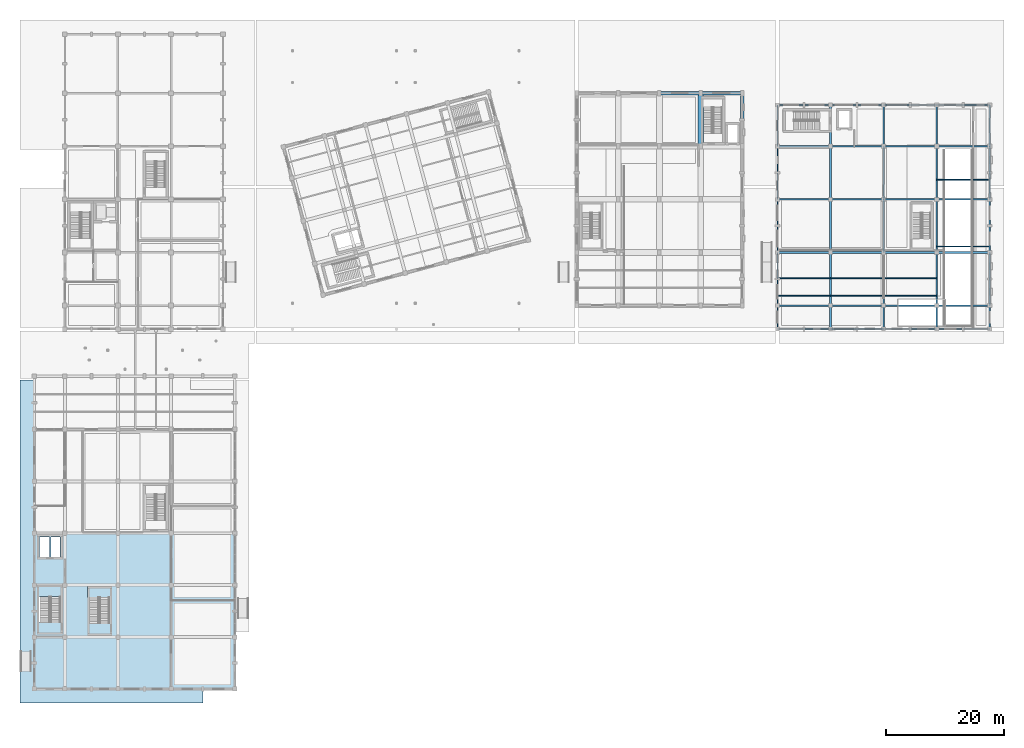
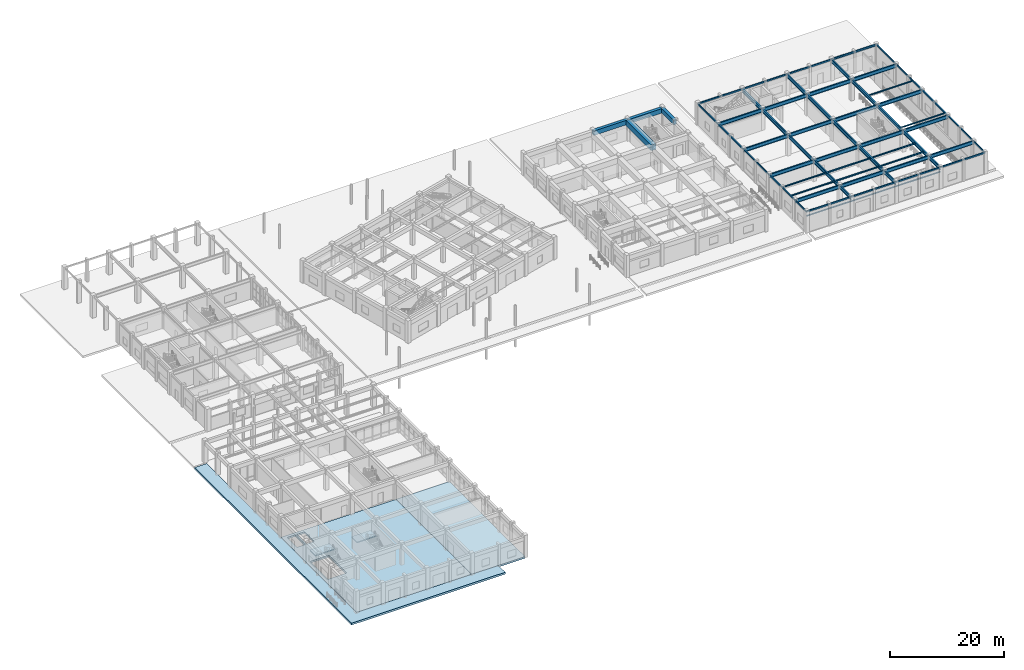
# One storey, part 27 of 47: 71 beams, 8 members, 5 slabs, 2 elements without a shape of their own.
"""IFC4 building model written with IfcOpenShell, lengths in metres."""

from ifc_helpers import new_model, si_unit, direction, frame, origin, origin_2d, place, context, subcontext, project, spatial, polyline, rectangle, hollow_rectangle, i_section, outline, extrude, material, layer, layer_set, material_profile, profile_set, type_object, element, aggregate, save


model = new_model("IFC4")

# Units and contexts
model_context = context("Model", 3, precision=1e-05, world=origin(), true_north=direction((0.0, 1.0)))
body_context = subcontext(model_context, "Body", "Model", "MODEL_VIEW")
ifc_project = project(units=[si_unit("LENGTHUNIT", "METRE"), si_unit("AREAUNIT", "SQUARE_METRE"), si_unit("VOLUMEUNIT", "CUBIC_METRE"), si_unit("PLANEANGLEUNIT", "RADIAN"), si_unit("MASSUNIT", "GRAM", prefix="KILO")], contexts=[model_context])

# Site, building, storey
site_placement = place(None, origin())
site = spatial("IfcSite", under=ifc_project, at=site_placement, CompositionType="ELEMENT")
building_placement = place(site_placement, origin())
building = spatial("IfcBuilding", under=site, at=building_placement, Name="Ventoquebrada Cableway Terminal", CompositionType="ELEMENT")
storey_placement = place(building_placement, origin())
storey = spatial("IfcBuildingStorey", under=building, at=storey_placement, Name="L00", CompositionType="ELEMENT", Elevation=0.0)

# Beams
ifc_material_1 = material(Name="Concrete C40/50", Category="concrete")
ifc_material_profile_1 = material_profile(ifc_material_1, rectangle(XDim=0.60009765625, YDim=0.949951171875, at=origin_2d()), Name="RC-BM-600X950")
ifc_profile_set_1 = profile_set([ifc_material_profile_1], Name="Concrete C40/50")
beam_type_1 = type_object("IfcBeamType", Name="BM-RC05", PredefinedType="BEAM", material=ifc_profile_set_1)
for number, where, z_axis, x_axis, name in (
    (1, (109.0, 104.0, 3.97509765625), (1.0, 0.0, 0.0), (0.0, 1.0, 0.0), "Perimeter spandrel beam FBM-0597"),
    (2, (116.0, 104.0, 3.97509765625), (1.0, 0.0, 0.0), (0.0, 1.0, 0.0), "Perimeter spandrel beam FBM-0598"),
):
    element("IfcBeam", number, at=place(storey_placement, frame(where, z_axis=z_axis, x_axis=x_axis)), inside=storey, type_object=beam_type_1, Name=name, PredefinedType="BEAM", context=body_context, shape_type="SweptSolid", body=[
        extrude(rectangle(XDim=0.60009765625, YDim=0.949951171875, at=origin_2d()), origin(), (0.0, 0.0, 1.0), 7.0),
    ])
beam_1_placement = place(storey_placement, frame((123.0, 99.5, 3.97509765625), z_axis=(0.0, 1.0, 0.0), x_axis=(-1.0, 0.0, 0.0)))
element("IfcBeam", 3, at=beam_1_placement, inside=storey, type_object=beam_type_1, Name="Perimeter spandrel beam FBM-0626", PredefinedType="BEAM", context=body_context, shape_type="SweptSolid", body=[
    extrude(rectangle(XDim=0.60009765625, YDim=0.949951171875, at=origin_2d()), origin(), (0.0, 0.0, 1.0), 4.5),
])
ifc_material_profile_2 = material_profile(ifc_material_1, rectangle(XDim=0.949951171875, YDim=1.199951171875, at=origin_2d()), Name="RC-BM-950X1200")
ifc_profile_set_2 = profile_set([ifc_material_profile_2], Name="Concrete C40/50")
beam_type_2 = type_object("IfcBeamType", Name="BM-RC06", PredefinedType="BEAM", material=ifc_profile_set_2)
beam_2_placement = place(storey_placement, frame((116.0, 95.0, 3.85009765625), z_axis=(0.0, 1.0, 0.0), x_axis=(-1.0, 0.0, 0.0)))
element("IfcBeam", 4, at=beam_2_placement, inside=storey, type_object=beam_type_2, Name="Primary frame girder FBM-0618", PredefinedType="BEAM", context=body_context, shape_type="SweptSolid", body=[
    extrude(rectangle(XDim=0.949951171875, YDim=1.199951171875, at=origin_2d()), origin(), (0.0, 0.0, 1.0), 9.0),
])
ifc_material_2 = material(Name="Steel ASTM A992 Grade 50", Category="steel")
ifc_material_profile_3 = material_profile(ifc_material_2, i_section(OverallWidth=0.26708984375, OverallDepth=0.761962890625, WebThickness=0.014404296875, FlangeThickness=0.021484375, at=origin_2d()), Name="W30X116")
ifc_profile_set_3 = profile_set([ifc_material_profile_3], Name="Steel ASTM A992 Grade 50")
beam_type_3 = type_object("IfcBeamType", Name="BM-ST05", PredefinedType="BEAM", material=ifc_profile_set_3)
for number, where, z_axis, x_axis, name in (
    (5, (129.0, 68.0, 4.14892578125), (1.0, 0.0, 0.0), (0.0, 1.0, 0.0), "Primary frame girder FBM-0772"),
    (6, (138.0, 68.0, 4.14892578125), (1.0, 0.0, 0.0), (0.0, 1.0, 0.0), "Primary frame girder FBM-0773"),
    (7, (147.0, 68.0, 4.14892578125), (1.0, 0.0, 0.0), (0.0, 1.0, 0.0), "Primary frame girder FBM-0774"),
    (8, (156.0, 68.0, 4.14892578125), (1.0, 0.0, 0.0), (0.0, 1.0, 0.0), "Primary frame girder FBM-0775"),
    (9, (129.0, 77.0, 4.093994140625), (1.0, 0.0, 0.0), (0.0, 1.0, 0.0), "Primary frame girder FBM-0776"),
    (10, (138.0, 77.0, 4.093994140625), (1.0, 0.0, 0.0), (0.0, 1.0, 0.0), "Primary frame girder FBM-0777"),
    (11, (147.0, 77.0, 4.093994140625), (1.0, 0.0, 0.0), (0.0, 1.0, 0.0), "Primary frame girder FBM-0778"),
    (12, (156.0, 77.0, 4.14892578125), (1.0, 0.0, 0.0), (0.0, 1.0, 0.0), "Primary frame girder FBM-0779"),
    (13, (129.0, 86.0, 4.093994140625), (1.0, 0.0, 0.0), (0.0, 1.0, 0.0), "Primary frame girder FBM-0780"),
    (14, (138.0, 86.0, 4.093994140625), (1.0, 0.0, 0.0), (0.0, 1.0, 0.0), "Primary frame girder FBM-0781"),
    (15, (147.0, 86.0, 4.093994140625), (1.0, 0.0, 0.0), (0.0, 1.0, 0.0), "Primary frame girder FBM-0782"),
    (16, (156.0, 86.0, 4.14892578125), (1.0, 0.0, 0.0), (0.0, 1.0, 0.0), "Primary frame girder FBM-0783"),
    (17, (129.0, 95.0, 4.093994140625), (1.0, 0.0, 0.0), (0.0, 1.0, 0.0), "Primary frame girder FBM-0784"),
    (18, (138.0, 95.0, 4.093994140625), (1.0, 0.0, 0.0), (0.0, 1.0, 0.0), "Primary frame girder FBM-0785"),
    (19, (147.0, 95.0, 4.093994140625), (1.0, 0.0, 0.0), (0.0, 1.0, 0.0), "Primary frame girder FBM-0786"),
    (20, (156.0, 95.0, 4.14892578125), (1.0, 0.0, 0.0), (0.0, 1.0, 0.0), "Primary frame girder FBM-0787"),
):
    element("IfcBeam", number, at=place(storey_placement, frame(where, z_axis=z_axis, x_axis=x_axis)), inside=storey, type_object=beam_type_3, Name=name, PredefinedType="BEAM", context=body_context, shape_type="SweptSolid", body=[
        extrude(i_section(OverallWidth=0.26708984375, OverallDepth=0.761962890625, WebThickness=0.014404296875, FlangeThickness=0.021484375, at=origin_2d()), origin(), (0.0, 0.0, 1.0), 9.0),
    ])
beam_3_placement = place(storey_placement, frame((138.0, 64.0, 4.14892578125), z_axis=(0.0, 1.0, 0.0), x_axis=(-1.0, 0.0, 0.0)))
element("IfcBeam", 21, at=beam_3_placement, inside=storey, type_object=beam_type_3, Name="Primary frame girder FBM-0804", PredefinedType="BEAM", context=body_context, shape_type="SweptSolid", body=[
    extrude(i_section(OverallWidth=0.26708984375, OverallDepth=0.761962890625, WebThickness=0.014404296875, FlangeThickness=0.021484375, at=origin_2d()), origin(), (0.0, 0.0, 1.0), 4.0),
])
for number, where, z_axis, x_axis, name in (
    (22, (138.0, 68.0, 4.14892578125), (0.0, 1.0, 0.0), (-1.0, 0.0, 0.0), "Primary frame girder FBM-0805"),
    (23, (138.0, 77.0, 4.093994140625), (0.0, 1.0, 0.0), (-1.0, 0.0, 0.0), "Primary frame girder FBM-0806"),
    (24, (138.0, 86.0, 4.093994140625), (0.0, 1.0, 0.0), (-1.0, 0.0, 0.0), "Primary frame girder FBM-0807"),
):
    element("IfcBeam", number, at=place(storey_placement, frame(where, z_axis=z_axis, x_axis=x_axis)), inside=storey, type_object=beam_type_3, Name=name, PredefinedType="BEAM", context=body_context, shape_type="SweptSolid", body=[
        extrude(i_section(OverallWidth=0.26708984375, OverallDepth=0.761962890625, WebThickness=0.014404296875, FlangeThickness=0.021484375, at=origin_2d()), origin(), (0.0, 0.0, 1.0), 9.0),
    ])
beam_4_placement = place(storey_placement, frame((138.0, 95.0, 4.093994140625), z_axis=(0.0, 1.0, 0.0), x_axis=(-1.0, 0.0, 0.0)))
element("IfcBeam", 25, at=beam_4_placement, inside=storey, type_object=beam_type_3, Name="Primary frame girder FBM-0808", PredefinedType="BEAM", context=body_context, shape_type="SweptSolid", body=[
    extrude(i_section(OverallWidth=0.26708984375, OverallDepth=0.761962890625, WebThickness=0.014404296875, FlangeThickness=0.021484375, at=origin_2d()), origin(), (0.0, 0.0, 1.0), 7.0),
])
beam_5_placement = place(storey_placement, frame((147.0, 64.0, 4.14892578125), z_axis=(0.0, 1.0, 0.0), x_axis=(-1.0, 0.0, 0.0)))
element("IfcBeam", 26, at=beam_5_placement, inside=storey, type_object=beam_type_3, Name="Primary frame girder FBM-0809", PredefinedType="BEAM", context=body_context, shape_type="SweptSolid", body=[
    extrude(i_section(OverallWidth=0.26708984375, OverallDepth=0.761962890625, WebThickness=0.014404296875, FlangeThickness=0.021484375, at=origin_2d()), origin(), (0.0, 0.0, 1.0), 4.0),
])
for number, where, z_axis, x_axis, name in (
    (27, (147.0, 68.0, 4.14892578125), (0.0, 1.0, 0.0), (-1.0, 0.0, 0.0), "Primary frame girder FBM-0810"),
    (28, (147.0, 77.0, 4.093994140625), (0.0, 1.0, 0.0), (-1.0, 0.0, 0.0), "Primary frame girder FBM-0811"),
    (29, (147.0, 86.0, 4.093994140625), (0.0, 1.0, 0.0), (-1.0, 0.0, 0.0), "Primary frame girder FBM-0812"),
):
    element("IfcBeam", number, at=place(storey_placement, frame(where, z_axis=z_axis, x_axis=x_axis)), inside=storey, type_object=beam_type_3, Name=name, PredefinedType="BEAM", context=body_context, shape_type="SweptSolid", body=[
        extrude(i_section(OverallWidth=0.26708984375, OverallDepth=0.761962890625, WebThickness=0.014404296875, FlangeThickness=0.021484375, at=origin_2d()), origin(), (0.0, 0.0, 1.0), 9.0),
    ])
beam_6_placement = place(storey_placement, frame((147.0, 95.0, 4.093994140625), z_axis=(0.0, 1.0, 0.0), x_axis=(-1.0, 0.0, 0.0)))
element("IfcBeam", 30, at=beam_6_placement, inside=storey, type_object=beam_type_3, Name="Primary frame girder FBM-0813", PredefinedType="BEAM", context=body_context, shape_type="SweptSolid", body=[
    extrude(i_section(OverallWidth=0.26708984375, OverallDepth=0.761962890625, WebThickness=0.014404296875, FlangeThickness=0.021484375, at=origin_2d()), origin(), (0.0, 0.0, 1.0), 7.0),
])
beam_7_placement = place(storey_placement, frame((156.0, 64.0, 4.14892578125), z_axis=(0.0, 1.0, 0.0), x_axis=(-1.0, 0.0, 0.0)))
element("IfcBeam", 31, at=beam_7_placement, inside=storey, type_object=beam_type_3, Name="Primary frame girder FBM-0814", PredefinedType="BEAM", context=body_context, shape_type="SweptSolid", body=[
    extrude(i_section(OverallWidth=0.26708984375, OverallDepth=0.761962890625, WebThickness=0.014404296875, FlangeThickness=0.021484375, at=origin_2d()), origin(), (0.0, 0.0, 1.0), 4.0),
])
for number, where, z_axis, x_axis, name in (
    (32, (156.0, 68.0, 4.14892578125), (0.0, 1.0, 0.0), (-1.0, 0.0, 0.0), "Primary frame girder FBM-0815"),
    (33, (156.0, 77.0, 4.093994140625), (0.0, 1.0, 0.0), (-1.0, 0.0, 0.0), "Primary frame girder FBM-0816"),
    (34, (156.0, 86.0, 4.093994140625), (0.0, 1.0, 0.0), (-1.0, 0.0, 0.0), "Primary frame girder FBM-0817"),
):
    element("IfcBeam", number, at=place(storey_placement, frame(where, z_axis=z_axis, x_axis=x_axis)), inside=storey, type_object=beam_type_3, Name=name, PredefinedType="BEAM", context=body_context, shape_type="SweptSolid", body=[
        extrude(i_section(OverallWidth=0.26708984375, OverallDepth=0.761962890625, WebThickness=0.014404296875, FlangeThickness=0.021484375, at=origin_2d()), origin(), (0.0, 0.0, 1.0), 9.0),
    ])
beam_8_placement = place(storey_placement, frame((156.0, 95.0, 4.093994140625), z_axis=(0.0, 1.0, 0.0), x_axis=(-1.0, 0.0, 0.0)))
element("IfcBeam", 35, at=beam_8_placement, inside=storey, type_object=beam_type_3, Name="Primary frame girder FBM-0818", PredefinedType="BEAM", context=body_context, shape_type="SweptSolid", body=[
    extrude(i_section(OverallWidth=0.26708984375, OverallDepth=0.761962890625, WebThickness=0.014404296875, FlangeThickness=0.021484375, at=origin_2d()), origin(), (0.0, 0.0, 1.0), 7.0),
])
ifc_material_3 = material(Name="Steel ASTM A500 Grade C", Category="steel")
ifc_material_profile_4 = material_profile(ifc_material_3, hollow_rectangle(XDim=0.199951171875, YDim=0.199951171875, WallThickness=0.010009765625, at=origin_2d()), Name="HSS200X200X10")
ifc_profile_set_4 = profile_set([ifc_material_profile_4], Name="Steel ASTM A500 Grade C")
beam_type_4 = type_object("IfcBeamType", Name="LN-ST01", PredefinedType="LINTEL", material=ifc_profile_set_4)
for number, where, z_axis, x_axis, name in (
    (36, (156.0, 102.0, 4.14990234375), (1.0, 0.0, 0.0), (0.0, 1.0, 0.0), "Portal opening lintel beam LN-007"),
    (37, (129.0, 64.0, 3.449951171875), (1.0, 0.0, 0.0), (0.0, 1.0, 0.0), "Portal opening lintel beam LN-008"),
    (38, (138.0, 64.0, 3.449951171875), (1.0, 0.0, 0.0), (0.0, 1.0, 0.0), "Portal opening lintel beam LN-009"),
    (39, (147.0, 64.0, 3.449951171875), (1.0, 0.0, 0.0), (0.0, 1.0, 0.0), "Portal opening lintel beam LN-010"),
):
    element("IfcBeam", number, at=place(storey_placement, frame(where, z_axis=z_axis, x_axis=x_axis)), inside=storey, type_object=beam_type_4, Name=name, PredefinedType="LINTEL", context=body_context, shape_type="SweptSolid", body=[
        extrude(hollow_rectangle(XDim=0.199951171875, YDim=0.199951171875, WallThickness=0.010009765625, at=origin_2d()), origin(), (0.0, 0.0, 1.0), 9.0),
    ])

# Members
ifc_material_profile_5 = material_profile(ifc_material_2, i_section(OverallWidth=0.14599609375, OverallDepth=0.259033203125, WebThickness=0.006103515625, FlangeThickness=0.009033203125, at=origin_2d()), Name="W10X22")
ifc_profile_set_5 = profile_set([ifc_material_profile_5], Name="Steel ASTM A992 Grade 50")
member_type_1 = type_object("IfcMemberType", Name="PUR-RF04", PredefinedType="PURLIN", material=ifc_profile_set_5)
for number, where, z_axis, x_axis, name in (
    (40, (156.0, 78.01708984375, 4.284912109375), (1.0, 0.0, 0.0), (0.0, 1.0, 0.0), "Roof support purlin RPR-0503"),
    (41, (156.0, 89.3330078125, 4.284912109375), (1.0, 0.0, 0.0), (0.0, 1.0, 0.0), "Roof support purlin RPR-0504"),
):
    element("IfcMember", number, at=place(storey_placement, frame(where, z_axis=z_axis, x_axis=x_axis)), inside=storey, type_object=member_type_1, Name=name, PredefinedType="PURLIN", context=body_context, shape_type="SweptSolid", body=[
        extrude(i_section(OverallWidth=0.14599609375, OverallDepth=0.259033203125, WebThickness=0.006103515625, FlangeThickness=0.009033203125, at=origin_2d()), origin(), (0.0, 0.0, 1.0), 9.0),
    ])
ifc_material_profile_6 = material_profile(ifc_material_2, i_section(OverallWidth=0.1650390625, OverallDepth=0.31005859375, WebThickness=0.005859375, FlangeThickness=0.009765625, at=origin_2d()), Name="W12X26")
ifc_profile_set_6 = profile_set([ifc_material_profile_6], Name="Steel ASTM A992 Grade 50")
member_type_2 = type_object("IfcMemberType", Name="PUR-RF05", PredefinedType="PURLIN", material=ifc_profile_set_6)
for number, where, z_axis, x_axis, name in (
    (42, (129.0, 69.68310546875, 4.260009765625), (1.0, 0.0, 0.0), (0.0, 1.0, 0.0), "Roof support purlin RPR-0505"),
    (43, (138.0, 69.68310546875, 4.260009765625), (1.0, 0.0, 0.0), (0.0, 1.0, 0.0), "Roof support purlin RPR-0506"),
    (44, (147.0, 69.68310546875, 4.260009765625), (1.0, 0.0, 0.0), (0.0, 1.0, 0.0), "Roof support purlin RPR-0507"),
    (45, (129.0, 72.6669921875, 4.260009765625), (1.0, 0.0, 0.0), (0.0, 1.0, 0.0), "Roof support purlin RPR-0508"),
    (46, (138.0, 72.6669921875, 4.260009765625), (1.0, 0.0, 0.0), (0.0, 1.0, 0.0), "Roof support purlin RPR-0509"),
    (47, (147.0, 72.6669921875, 4.260009765625), (1.0, 0.0, 0.0), (0.0, 1.0, 0.0), "Roof support purlin RPR-0510"),
):
    element("IfcMember", number, at=place(storey_placement, frame(where, z_axis=z_axis, x_axis=x_axis)), inside=storey, type_object=member_type_2, Name=name, PredefinedType="PURLIN", context=body_context, shape_type="SweptSolid", body=[
        extrude(i_section(OverallWidth=0.1650390625, OverallDepth=0.31005859375, WebThickness=0.005859375, FlangeThickness=0.009765625, at=origin_2d()), origin(), (0.0, 0.0, 1.0), 9.0),
    ])

# Beams
ifc_material_profile_7 = material_profile(ifc_material_3, hollow_rectangle(XDim=0.199951171875, YDim=0.300048828125, WallThickness=0.012451171875, at=origin_2d()), Name="RHS300X200X12.5")
ifc_profile_set_7 = profile_set([ifc_material_profile_7], Name="Steel ASTM A500 Grade C")
beam_type_5 = type_object("IfcBeamType", Name="SP-ST02", PredefinedType="SPANDREL", material=ifc_profile_set_7)
for number, where, z_axis, x_axis, name in (
    (48, (129.0, 64.0, 4.3798828125), (1.0, 0.0, 0.0), (0.0, 1.0, 0.0), "Perimeter spandrel beam FBM-0764"),
    (49, (133.5, 64.0, 4.3798828125), (1.0, 0.0, 0.0), (0.0, 1.0, 0.0), "Perimeter spandrel beam FBM-0765"),
    (50, (138.0, 64.0, 4.3798828125), (1.0, 0.0, 0.0), (0.0, 1.0, 0.0), "Perimeter spandrel beam FBM-0766"),
    (51, (142.5, 64.0, 4.3798828125), (1.0, 0.0, 0.0), (0.0, 1.0, 0.0), "Perimeter spandrel beam FBM-0767"),
    (52, (147.0, 64.0, 4.3798828125), (1.0, 0.0, 0.0), (0.0, 1.0, 0.0), "Perimeter spandrel beam FBM-0768"),
    (53, (151.5, 64.0, 4.3798828125), (1.0, 0.0, 0.0), (0.0, 1.0, 0.0), "Perimeter spandrel beam FBM-0769"),
    (54, (156.0, 64.0, 4.3798828125), (1.0, 0.0, 0.0), (0.0, 1.0, 0.0), "Perimeter spandrel beam FBM-0770"),
    (55, (160.5, 64.0, 4.3798828125), (1.0, 0.0, 0.0), (0.0, 1.0, 0.0), "Perimeter spandrel beam FBM-0771"),
    (56, (129.0, 102.0, 4.324951171875), (1.0, 0.0, 0.0), (0.0, 1.0, 0.0), "Perimeter spandrel beam FBM-0788"),
    (57, (133.5, 102.0, 4.324951171875), (1.0, 0.0, 0.0), (0.0, 1.0, 0.0), "Perimeter spandrel beam FBM-0789"),
    (58, (138.0, 102.0, 4.324951171875), (1.0, 0.0, 0.0), (0.0, 1.0, 0.0), "Perimeter spandrel beam FBM-0790"),
    (59, (142.5, 102.0, 4.324951171875), (1.0, 0.0, 0.0), (0.0, 1.0, 0.0), "Perimeter spandrel beam FBM-0791"),
    (60, (147.0, 102.0, 4.324951171875), (1.0, 0.0, 0.0), (0.0, 1.0, 0.0), "Perimeter spandrel beam FBM-0792"),
    (61, (151.5, 102.0, 4.324951171875), (1.0, 0.0, 0.0), (0.0, 1.0, 0.0), "Perimeter spandrel beam FBM-0793"),
    (62, (156.0, 102.0, 4.3798828125), (1.0, 0.0, 0.0), (0.0, 1.0, 0.0), "Perimeter spandrel beam FBM-0794"),
    (63, (160.5, 102.0, 4.3798828125), (1.0, 0.0, 0.0), (0.0, 1.0, 0.0), "Perimeter spandrel beam FBM-0795"),
):
    element("IfcBeam", number, at=place(storey_placement, frame(where, z_axis=z_axis, x_axis=x_axis)), inside=storey, type_object=beam_type_5, Name=name, PredefinedType="SPANDREL", context=body_context, shape_type="SweptSolid", body=[
        extrude(hollow_rectangle(XDim=0.199951171875, YDim=0.300048828125, WallThickness=0.012451171875, at=origin_2d()), origin(), (0.0, 0.0, 1.0), 4.5),
    ])
beam_9_placement = place(storey_placement, frame((129.0, 64.0, 4.3798828125), z_axis=(0.0, 1.0, 0.0), x_axis=(-1.0, 0.0, 0.0)))
element("IfcBeam", 64, at=beam_9_placement, inside=storey, type_object=beam_type_5, Name="Perimeter spandrel beam FBM-0796", PredefinedType="SPANDREL", context=body_context, shape_type="SweptSolid", body=[
    extrude(hollow_rectangle(XDim=0.199951171875, YDim=0.300048828125, WallThickness=0.012451171875, at=origin_2d()), origin(), (0.0, 0.0, 1.0), 4.0),
])
for number, where, z_axis, x_axis, name in (
    (65, (129.0, 68.0, 4.3798828125), (0.0, 1.0, 0.0), (-1.0, 0.0, 0.0), "Perimeter spandrel beam FBM-0797"),
    (66, (129.0, 72.5, 4.3798828125), (0.0, 1.0, 0.0), (-1.0, 0.0, 0.0), "Perimeter spandrel beam FBM-0798"),
    (67, (129.0, 77.0, 4.324951171875), (0.0, 1.0, 0.0), (-1.0, 0.0, 0.0), "Perimeter spandrel beam FBM-0799"),
    (68, (129.0, 81.5, 4.324951171875), (0.0, 1.0, 0.0), (-1.0, 0.0, 0.0), "Perimeter spandrel beam FBM-0800"),
    (69, (129.0, 86.0, 4.324951171875), (0.0, 1.0, 0.0), (-1.0, 0.0, 0.0), "Perimeter spandrel beam FBM-0801"),
    (70, (129.0, 90.5, 4.324951171875), (0.0, 1.0, 0.0), (-1.0, 0.0, 0.0), "Perimeter spandrel beam FBM-0802"),
):
    element("IfcBeam", number, at=place(storey_placement, frame(where, z_axis=z_axis, x_axis=x_axis)), inside=storey, type_object=beam_type_5, Name=name, PredefinedType="SPANDREL", context=body_context, shape_type="SweptSolid", body=[
        extrude(hollow_rectangle(XDim=0.199951171875, YDim=0.300048828125, WallThickness=0.012451171875, at=origin_2d()), origin(), (0.0, 0.0, 1.0), 4.5),
    ])
beam_10_placement = place(storey_placement, frame((129.0, 95.0, 4.324951171875), z_axis=(0.0, 1.0, 0.0), x_axis=(-1.0, 0.0, 0.0)))
element("IfcBeam", 71, at=beam_10_placement, inside=storey, type_object=beam_type_5, Name="Perimeter spandrel beam FBM-0803", PredefinedType="SPANDREL", context=body_context, shape_type="SweptSolid", body=[
    extrude(hollow_rectangle(XDim=0.199951171875, YDim=0.300048828125, WallThickness=0.012451171875, at=origin_2d()), origin(), (0.0, 0.0, 1.0), 7.0),
])
beam_11_placement = place(storey_placement, frame((165.0, 64.0, 4.3798828125), z_axis=(0.0, 1.0, 0.0), x_axis=(-1.0, 0.0, 0.0)))
element("IfcBeam", 72, at=beam_11_placement, inside=storey, type_object=beam_type_5, Name="Perimeter spandrel beam FBM-0819", PredefinedType="SPANDREL", context=body_context, shape_type="SweptSolid", body=[
    extrude(hollow_rectangle(XDim=0.199951171875, YDim=0.300048828125, WallThickness=0.012451171875, at=origin_2d()), origin(), (0.0, 0.0, 1.0), 4.0),
])
for number, where, z_axis, x_axis, name in (
    (73, (165.0, 68.0, 4.3798828125), (0.0, 1.0, 0.0), (-1.0, 0.0, 0.0), "Perimeter spandrel beam FBM-0820"),
    (74, (165.0, 72.5, 4.3798828125), (0.0, 1.0, 0.0), (-1.0, 0.0, 0.0), "Perimeter spandrel beam FBM-0821"),
    (75, (165.0, 77.0, 4.3798828125), (0.0, 1.0, 0.0), (-1.0, 0.0, 0.0), "Perimeter spandrel beam FBM-0822"),
    (76, (165.0, 81.5, 4.3798828125), (0.0, 1.0, 0.0), (-1.0, 0.0, 0.0), "Perimeter spandrel beam FBM-0823"),
    (77, (165.0, 86.0, 4.3798828125), (0.0, 1.0, 0.0), (-1.0, 0.0, 0.0), "Perimeter spandrel beam FBM-0824"),
    (78, (165.0, 90.5, 4.3798828125), (0.0, 1.0, 0.0), (-1.0, 0.0, 0.0), "Perimeter spandrel beam FBM-0825"),
):
    element("IfcBeam", number, at=place(storey_placement, frame(where, z_axis=z_axis, x_axis=x_axis)), inside=storey, type_object=beam_type_5, Name=name, PredefinedType="SPANDREL", context=body_context, shape_type="SweptSolid", body=[
        extrude(hollow_rectangle(XDim=0.199951171875, YDim=0.300048828125, WallThickness=0.012451171875, at=origin_2d()), origin(), (0.0, 0.0, 1.0), 4.5),
    ])
beam_12_placement = place(storey_placement, frame((165.0, 95.0, 4.3798828125), z_axis=(0.0, 1.0, 0.0), x_axis=(-1.0, 0.0, 0.0)))
element("IfcBeam", 79, at=beam_12_placement, inside=storey, type_object=beam_type_5, Name="Perimeter spandrel beam FBM-0826", PredefinedType="SPANDREL", context=body_context, shape_type="SweptSolid", body=[
    extrude(hollow_rectangle(XDim=0.199951171875, YDim=0.300048828125, WallThickness=0.012451171875, at=origin_2d()), origin(), (0.0, 0.0, 1.0), 7.0),
])

# Slabs
ifc_layer_1 = layer(ifc_material_1, 0.360107421875)
ifc_layer_set_1 = layer_set([ifc_layer_1], Name="Concrete C40/50")
slab_type_1 = type_object("IfcSlabType", Name="SL-FL1", PredefinedType="FLOOR", material=ifc_layer_set_1)
slab_1_placement = place(storey_placement, frame((0.0, 0.0, -0.360107421875)))
element("IfcSlab", 80, at=slab_1_placement, inside=storey, type_object=slab_type_1, Name="Reinforced concrete floor slab SL-003", PredefinedType="FLOOR", context=body_context, shape_type="SweptSolid", body=[
    extrude(outline(polyline([(3.0, 29.39990234375), (3.0, 3.0), (26.199951171875, 3.0), (26.199951171875, 29.39990234375), (3.0, 29.39990234375)]), holes=[polyline([(3.75, 20.449951171875), (7.5, 20.449951171875), (7.5, 14.239990234375), (3.75, 14.239990234375), (3.75, 20.449951171875)]), polyline([(5.550048828125, 28.800048828125), (5.550048828125, 25.39990234375), (3.89990234375, 25.39990234375), (3.89990234375, 28.800048828125), (5.550048828125, 28.800048828125)]), polyline([(7.39990234375, 25.39990234375), (5.85009765625, 25.39990234375), (5.85009765625, 28.800048828125), (7.39990234375, 28.800048828125), (7.39990234375, 25.39990234375)])]), origin(), (0.0, 0.0, 1.0), 0.360107421875),
])
slab_2_placement = place(storey_placement, frame((0.0, 0.0, -0.360107421875)))
element("IfcSlab", 81, at=slab_2_placement, inside=storey, type_object=slab_type_1, Name="Reinforced concrete floor slab SL-005", PredefinedType="FLOOR", context=body_context, shape_type="SweptSolid", body=[
    extrude(outline(polyline([(37.0, 3.0), (37.0, 29.39990234375), (26.199951171875, 29.39990234375), (26.199951171875, 3.0), (37.0, 3.0)])), origin(), (0.0, 0.0, 1.0), 0.360107421875),
])

# Stair, slab
stair_type = type_object("IfcStairType", Name="ST-T03", PredefinedType="HALF_TURN_STAIR", material=ifc_material_1)
stair_1_placement = place(storey_placement, origin())
stair_1 = element("IfcStair", 82, at=stair_1_placement, inside=storey, type_object=stair_type, Name="Protected half-turn stair ST-03", PredefinedType="HALF_TURN_STAIR")
ifc_layer_2 = layer(ifc_material_1, 0.219970703125)
ifc_layer_set_2 = layer_set([ifc_layer_2], Name="Concrete C40/50")
slab_type_2 = type_object("IfcSlabType", Name="SL-LD1", PredefinedType="LANDING", material=ifc_layer_set_2)
slab_3_placement = place(storey_placement, frame((0.0, 0.0, 2.179931640625)))
slab_3 = element("IfcSlab", 83, at=slab_3_placement, type_object=slab_type_2, Name="Intermediate stair landing LDG-003", PredefinedType="LANDING", context=body_context, shape_type="SweptSolid", body=[
    extrude(outline(polyline([(7.7099609375, 18.639892578125), (7.7099609375, 20.610107421875), (3.72998046875, 20.610107421875), (3.72998046875, 18.639892578125), (7.7099609375, 18.639892578125)])), origin(), (0.0, 0.0, 1.0), 0.219970703125),
])
aggregate(stair_1, [slab_3])

stair_2_placement = place(storey_placement, origin())
stair_2 = element("IfcStair", 84, at=stair_2_placement, inside=storey, type_object=stair_type, Name="Protected half-turn stair ST-09", PredefinedType="HALF_TURN_STAIR")
slab_4_placement = place(storey_placement, frame((0.0, 0.0, 2.179931640625)))
slab_4 = element("IfcSlab", 85, at=slab_4_placement, type_object=slab_type_2, Name="Intermediate stair landing LDG-009", PredefinedType="LANDING", context=body_context, shape_type="SweptSolid", body=[
    extrude(outline(polyline([(16.010009765625, 18.489990234375), (16.010009765625, 20.4599609375), (12.030029296875, 20.4599609375), (12.030029296875, 18.489990234375), (16.010009765625, 18.489990234375)])), origin(), (0.0, 0.0, 1.0), 0.219970703125),
])
aggregate(stair_2, [slab_4])

# Slab
ifc_layer_3 = layer(ifc_material_1, 0.419921875)
ifc_layer_set_3 = layer_set([ifc_layer_3], Name="Concrete C40/50")
slab_type_3 = type_object("IfcSlabType", Name="SL-TR1", PredefinedType="FLOOR", material=ifc_layer_set_3)
slab_5_placement = place(storey_placement, frame((0.0, 0.0, -0.419921875)))
element("IfcSlab", 86, at=slab_5_placement, inside=storey, type_object=slab_type_3, Name="Exterior basalt arrival court slab SL-075", PredefinedType="FLOOR", context=body_context, shape_type="SweptSolid", body=[
    extrude(outline(polyline([(0.590087890625, 0.590087890625), (31.611083984375, 0.590087890625), (31.611083984375, 3.0), (3.0, 3.0), (3.0, 55.360107421875), (0.590087890625, 55.360107421875), (0.590087890625, 0.590087890625)])), origin(), (0.0, 0.0, 1.0), 0.419921875),
])

save(model, "model.ifc")
